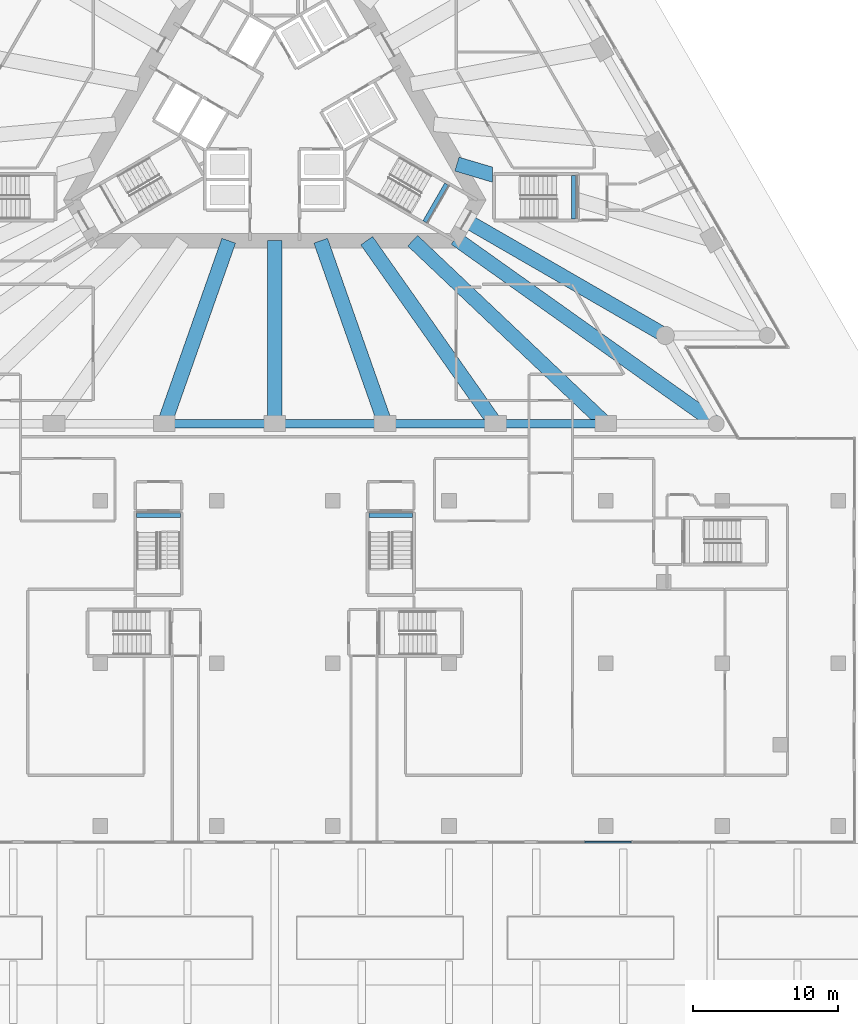
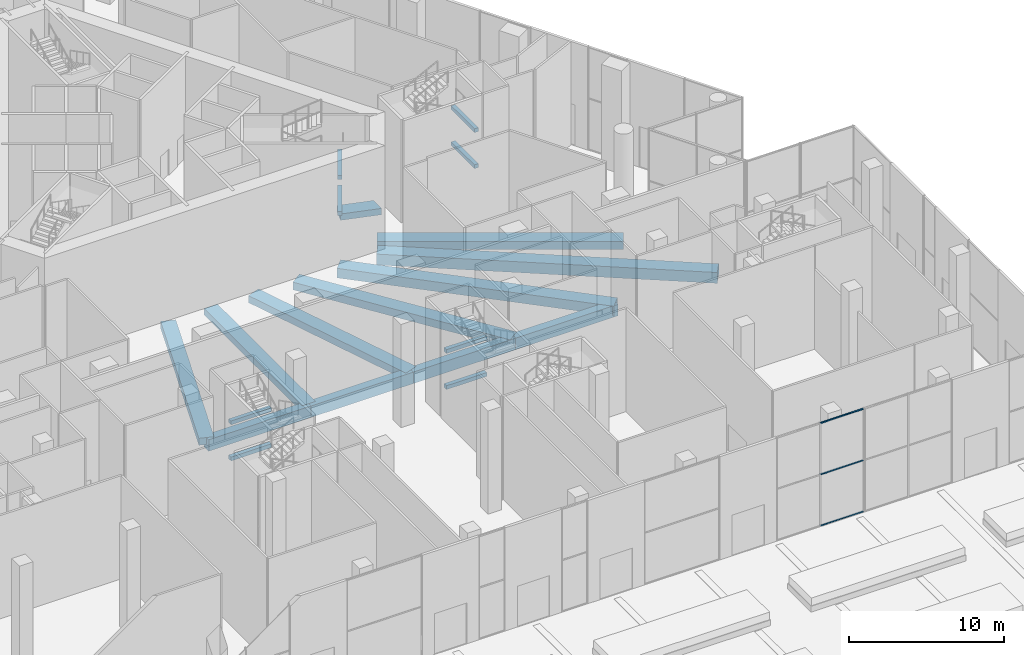
# One storey, part 7 of 41: 20 beams, 3 members, 1 element without a shape of its own.
"""IFC4 building model written with IfcOpenShell, lengths in metres."""

from ifc_helpers import new_model, si_unit, direction, frame, origin, origin_2d, place, context, subcontext, project, spatial, rectangle, extrude, clip, halfspace, material, layer, layer_set, material_profile, profile_set, type_object, element, aggregate, save


model = new_model("IFC4")

# Units and contexts
model_context = context("Model", 3, precision=1e-05, world=origin(), true_north=direction((0.0, 1.0)))
body_context = subcontext(model_context, "Body", "Model", "MODEL_VIEW")
ifc_project = project(units=[si_unit("LENGTHUNIT", "METRE"), si_unit("AREAUNIT", "SQUARE_METRE"), si_unit("VOLUMEUNIT", "CUBIC_METRE"), si_unit("PLANEANGLEUNIT", "RADIAN"), si_unit("MASSUNIT", "GRAM", prefix="KILO")], contexts=[model_context])

# Site, building, storey
site_placement = place(None, origin())
site = spatial("IfcSite", under=ifc_project, at=site_placement, CompositionType="ELEMENT")
building_placement = place(site_placement, origin())
building = spatial("IfcBuilding", under=site, at=building_placement, Name="Triada Interchange Tower", CompositionType="ELEMENT")
storey_placement = place(building_placement, origin())
storey = spatial("IfcBuildingStorey", under=building, at=storey_placement, Name="L00", CompositionType="ELEMENT", Elevation=0.0)

# Beams
ifc_material_1 = material(Name="Concrete C35/45", Category="concrete")
ifc_material_profile_1 = material_profile(ifc_material_1, rectangle(XDim=0.300048828125, YDim=0.300048828125, at=origin_2d()), Name="RC 300x300")
ifc_profile_set_1 = profile_set([ifc_material_profile_1], Name="Concrete C35/45")
beam_type_1 = type_object("IfcBeamType", Name="Landing support beam RC 300x300", PredefinedType="BEAM", material=ifc_profile_set_1)
for number, where, z_axis, x_axis, name in (
    (1, (10.3349609375, -7.698974609375, 2.4833984375), (0.50002537861, 0.866010750942, 0.0), (-0.866010750942, 0.50002537861, 0.0), "Landing support beam S00-3 1"),
    (2, (10.3349609375, -7.698974609375, 5.31689453125), (0.50002537861, 0.866010750942, 0.0), (-0.866010750942, 0.50002537861, 0.0), "Landing support beam S00-3 2"),
):
    element("IfcBeam", number, at=place(storey_placement, frame(where, z_axis=z_axis, x_axis=x_axis)), inside=storey, type_object=beam_type_1, Name=name, PredefinedType="BEAM", context=body_context, shape_type="SweptSolid", body=[
        extrude(rectangle(XDim=0.300048828125, YDim=0.300048828125, at=origin_2d()), origin(), (0.0, 0.0, 1.0), 2.999755859375),
    ])
for number, where, z_axis, x_axis, name in (
    (3, (20.60009765625, -7.5, 2.4833984375), (0.0, 1.0, 0.0), (-1.0, 0.0, 0.0), "Landing support beam S00-7 1"),
    (4, (20.60009765625, -7.5, 5.31689453125), (0.0, 1.0, 0.0), (-1.0, 0.0, 0.0), "Landing support beam S00-7 2"),
    (5, (9.5, -27.89990234375, 2.4833984375), (-1.0, 0.0, 0.0), (0.0, -1.0, 0.0), "Landing support beam S00-10 1"),
    (6, (9.5, -27.89990234375, 5.31689453125), (-1.0, 0.0, 0.0), (0.0, -1.0, 0.0), "Landing support beam S00-10 2"),
    (7, (-6.5, -27.89990234375, 2.4833984375), (-1.0, 0.0, 0.0), (0.0, -1.0, 0.0), "Landing support beam S00-11 1"),
    (8, (-6.5, -27.89990234375, 5.31689453125), (-1.0, 0.0, 0.0), (0.0, -1.0, 0.0), "Landing support beam S00-11 2"),
):
    element("IfcBeam", number, at=place(storey_placement, frame(where, z_axis=z_axis, x_axis=x_axis)), inside=storey, type_object=beam_type_1, Name=name, PredefinedType="BEAM", context=body_context, shape_type="SweptSolid", body=[
        extrude(rectangle(XDim=0.300048828125, YDim=0.300048828125, at=origin_2d()), origin(), (0.0, 0.0, 1.0), 3.0),
    ])
ifc_material_2 = material(Name="Concrete C50/60", Category="concrete")
ifc_material_profile_2 = material_profile(ifc_material_2, rectangle(XDim=1.0, YDim=0.5, at=origin_2d()), Name="RC 1000x500")
ifc_profile_set_2 = profile_set([ifc_material_profile_2], Name="Concrete C50/60")
beam_type_2 = type_object("IfcBeamType", Name="Radial band beam P RC 1000x500", PredefinedType="BEAM", material=ifc_profile_set_2)
beam_1_placement = place(storey_placement, frame((0.0, -21.60009765625, -0.64990234375), z_axis=(0.0, 1.0, 0.0), x_axis=(-1.0, 0.0, 0.0)))
element("IfcBeam", 9, at=beam_1_placement, inside=storey, type_object=beam_type_2, Name="Radial band beam BP15 L00", PredefinedType="BEAM", context=body_context, shape_type="SweptSolid", body=[
    extrude(rectangle(XDim=1.0, YDim=0.5, at=origin_2d()), origin(), (0.0, 0.0, 1.0), 12.60009765625),
])
beam_2_placement = place(storey_placement, frame((16.43798828125, -4.884033203125, -0.64990234375), z_axis=(-0.95858381739, 0.284810577468, 0.0), x_axis=(-0.284810577468, -0.95858381739, 0.0)))
element("IfcBeam", 10, at=beam_2_placement, inside=storey, type_object=beam_type_2, Name="Radial band beam BP22B L00", PredefinedType="BEAM", context=body_context, shape_type="Clipping", body=[
    clip(extrude(rectangle(XDim=1.0, YDim=0.5, at=origin_2d()), origin(), (0.0, 0.0, 1.0), 4.062255859375), halfspace(frame((3.10888671875, 0.64990234375, 0.576416015625), z_axis=(-0.284810577468, 0.0, -0.95858381739), x_axis=(0.0, 1.0, 0.0)), False)),
])
ifc_material_profile_3 = material_profile(ifc_material_2, rectangle(XDim=1.0, YDim=0.550048828125, at=origin_2d()), Name="RC 1000x550")
ifc_profile_set_3 = profile_set([ifc_material_profile_3], Name="Concrete C50/60")
beam_type_3 = type_object("IfcBeamType", Name="Radial band beam P RC 1000x550", PredefinedType="BEAM", material=ifc_profile_set_3)
for number, where, z_axis, x_axis, name in (
    (11, (-7.59912109375, -21.60009765625, -0.675048828125), (0.331888742463, 0.943318537201, 0.0), (-0.943318537201, 0.331888742463, 0.0), "Radial band beam BP14 L00"),
    (12, (7.59912109375, -21.60009765625, -0.675048828125), (-0.331888742463, 0.943318537201, 0.0), (-0.943318537201, -0.331888742463, 0.0), "Radial band beam BP16 L00"),
):
    element("IfcBeam", number, at=place(storey_placement, frame(where, z_axis=z_axis, x_axis=x_axis)), inside=storey, type_object=beam_type_3, Name=name, PredefinedType="BEAM", context=body_context, shape_type="SweptSolid", body=[
        extrude(rectangle(XDim=1.0, YDim=0.550048828125, at=origin_2d()), origin(), (0.0, 0.0, 1.0), 13.357177734375),
    ])
ifc_material_profile_4 = material_profile(ifc_material_2, rectangle(XDim=1.0, YDim=0.60009765625, at=origin_2d()), Name="RC 1000x600")
ifc_profile_set_4 = profile_set([ifc_material_profile_4], Name="Concrete C50/60")
beam_type_4 = type_object("IfcBeamType", Name="Radial band beam P RC 1000x600", PredefinedType="BEAM", material=ifc_profile_set_4)
beam_3_placement = place(storey_placement, frame((15.198974609375, -21.60009765625, -0.699951171875), z_axis=(-0.575460041142, 0.81782989738, 0.0), x_axis=(-0.81782989738, -0.575460041142, 0.0)))
element("IfcBeam", 13, at=beam_3_placement, inside=storey, type_object=beam_type_4, Name="Radial band beam BP17 L00", PredefinedType="BEAM", context=body_context, shape_type="SweptSolid", body=[
    extrude(rectangle(XDim=1.0, YDim=0.60009765625, at=origin_2d()), origin(), (0.0, 0.0, 1.0), 15.40673828125),
])
ifc_material_profile_5 = material_profile(ifc_material_2, rectangle(XDim=1.0, YDim=0.64990234375, at=origin_2d()), Name="RC 1000x650")
ifc_profile_set_5 = profile_set([ifc_material_profile_5], Name="Concrete C50/60")
beam_type_5 = type_object("IfcBeamType", Name="Radial band beam P RC 1000x650", PredefinedType="BEAM", material=ifc_profile_set_5)
beam_4_placement = place(storey_placement, frame((26.889892578125, -15.52490234375, -0.72509765625), z_axis=(-0.866020130944, 0.500009132716, 0.0), x_axis=(-0.500009132716, -0.866020130944, 0.0)))
element("IfcBeam", 14, at=beam_4_placement, inside=storey, type_object=beam_type_5, Name="Radial band beam BP20 L00", PredefinedType="BEAM", context=body_context, shape_type="SweptSolid", body=[
    extrude(rectangle(XDim=1.0, YDim=0.64990234375, at=origin_2d()), origin(), (0.0, 0.0, 1.0), 15.849365234375),
])
ifc_material_profile_6 = material_profile(ifc_material_2, rectangle(XDim=1.0, YDim=0.75, at=origin_2d()), Name="RC 1000x750")
ifc_profile_set_6 = profile_set([ifc_material_profile_6], Name="Concrete C50/60")
beam_type_6 = type_object("IfcBeamType", Name="Radial band beam P RC 1000x750", PredefinedType="BEAM", material=ifc_profile_set_6)
beam_5_placement = place(storey_placement, frame((22.798095703125, -21.60009765625, -0.77490234375), z_axis=(-0.725926069578, 0.687772739723, 0.0), x_axis=(-0.687772739723, -0.725926069578, 0.0)))
element("IfcBeam", 15, at=beam_5_placement, inside=storey, type_object=beam_type_6, Name="Radial band beam BP18 L00", PredefinedType="BEAM", context=body_context, shape_type="SweptSolid", body=[
    extrude(rectangle(XDim=1.0, YDim=0.75, at=origin_2d()), origin(), (0.0, 0.0, 1.0), 18.320068359375),
])
ifc_material_profile_7 = material_profile(ifc_material_2, rectangle(XDim=1.0, YDim=0.85009765625, at=origin_2d()), Name="RC 1000x850")
ifc_profile_set_7 = profile_set([ifc_material_profile_7], Name="Concrete C50/60")
beam_type_7 = type_object("IfcBeamType", Name="Radial band beam P RC 1000x850", PredefinedType="BEAM", material=ifc_profile_set_7)
beam_6_placement = place(storey_placement, frame((30.39697265625, -21.60009765625, -0.824951171875), z_axis=(-0.815163189691, 0.579231364977, 0.0), x_axis=(-0.579231364977, -0.815163189691, 0.0)))
element("IfcBeam", 16, at=beam_6_placement, inside=storey, type_object=beam_type_7, Name="Radial band beam BP19 L00", PredefinedType="BEAM", context=body_context, shape_type="SweptSolid", body=[
    extrude(rectangle(XDim=1.0, YDim=0.85009765625, at=origin_2d()), origin(), (0.0, 0.0, 1.0), 22.0224609375),
])
ifc_material_profile_8 = material_profile(ifc_material_2, rectangle(XDim=0.60009765625, YDim=0.89990234375, at=origin_2d()), Name="RC 600x900")
ifc_profile_set_8 = profile_set([ifc_material_profile_8], Name="Concrete C50/60")
beam_type_8 = type_object("IfcBeamType", Name="Spandrel beam P RC 600x900", PredefinedType="BEAM", material=ifc_profile_set_8)
for number, where, z_axis, x_axis, name in (
    (17, (-7.59912109375, -21.60009765625, -0.85009765625), (1.0, 0.0, 0.0), (0.0, 1.0, 0.0), "Spandrel beam EP14 L00"),
    (18, (0.0, -21.60009765625, -0.85009765625), (1.0, 0.0, 0.0), (0.0, 1.0, 0.0), "Spandrel beam EP15 L00"),
):
    element("IfcBeam", number, at=place(storey_placement, frame(where, z_axis=z_axis, x_axis=x_axis)), inside=storey, type_object=beam_type_8, Name=name, PredefinedType="BEAM", context=body_context, shape_type="SweptSolid", body=[
        extrude(rectangle(XDim=0.60009765625, YDim=0.89990234375, at=origin_2d()), origin(), (0.0, 0.0, 1.0), 7.59912109375),
    ])
beam_7_placement = place(storey_placement, frame((7.59912109375, -21.60009765625, -0.85009765625), z_axis=(1.0, 0.0, 0.0), x_axis=(0.0, 1.0, 0.0)))
element("IfcBeam", 19, at=beam_7_placement, inside=storey, type_object=beam_type_8, Name="Spandrel beam EP16 L00", PredefinedType="BEAM", context=body_context, shape_type="SweptSolid", body=[
    extrude(rectangle(XDim=0.60009765625, YDim=0.89990234375, at=origin_2d()), origin(), (0.0, 0.0, 1.0), 7.599853515625),
])
beam_8_placement = place(storey_placement, frame((15.198974609375, -21.60009765625, -0.85009765625), z_axis=(1.0, 0.0, 0.0), x_axis=(0.0, 1.0, 0.0)))
element("IfcBeam", 20, at=beam_8_placement, inside=storey, type_object=beam_type_8, Name="Spandrel beam EP17 L00", PredefinedType="BEAM", context=body_context, shape_type="SweptSolid", body=[
    extrude(rectangle(XDim=0.60009765625, YDim=0.89990234375, at=origin_2d()), origin(), (0.0, 0.0, 1.0), 7.59912109375),
])

# Curtain wall, members
ifc_material_3 = material(Name="Aluminium framed glazing", Category="aluminium")
ifc_layer = layer(ifc_material_3, 0.199951171875)
ifc_layer_set = layer_set([ifc_layer], Name="Curtain wall Retail shopfront")
curtain_wall_type = type_object("IfcCurtainWallType", Name="Curtain wall Retail shopfront", PredefinedType="NOTDEFINED", material=ifc_layer_set)
curtain_wall_placement = place(storey_placement, origin())
curtain_wall = element("IfcCurtainWall", 21, at=curtain_wall_placement, inside=storey, type_object=curtain_wall_type, Name="Retail shopfront CW008 L00", PredefinedType="NOTDEFINED")
ifc_material_4 = material(Name="Aluminium", Category="aluminium")
ifc_material_profile_9 = material_profile(ifc_material_4, rectangle(XDim=0.1201171875, YDim=0.050048828125, at=origin_2d()), Name="Aluminium transom")
ifc_profile_set_9 = profile_set([ifc_material_profile_9], Name="Aluminium")
member_type = type_object("IfcMemberType", Name="Transom Retail shopfront 120x50", PredefinedType="USERDEFINED", material=ifc_profile_set_9)
member_1_placement = place(storey_placement, frame((21.347412109375, -50.39990234375, 0.02490234375), z_axis=(1.0, 0.0, 0.0), x_axis=(0.0, 1.0, 0.0)))
member_1 = element("IfcMember", 22, at=member_1_placement, type_object=member_type, Name="CW008 transom 2.1", ObjectType="TRANSOM", PredefinedType="USERDEFINED", context=body_context, shape_type="SweptSolid", body=[
    extrude(rectangle(XDim=0.1201171875, YDim=0.050048828125, at=origin_2d()), origin(), (0.0, 0.0, 1.0), 3.1875),
])
member_2_placement = place(storey_placement, frame((21.347412109375, -50.39990234375, 4.050048828125), z_axis=(1.0, 0.0, 0.0), x_axis=(0.0, 1.0, 0.0)))
member_2 = element("IfcMember", 23, at=member_2_placement, type_object=member_type, Name="CW008 transom 2.2", ObjectType="TRANSOM", PredefinedType="USERDEFINED", context=body_context, shape_type="SweptSolid", body=[
    extrude(rectangle(XDim=0.1201171875, YDim=0.050048828125, at=origin_2d()), origin(), (0.0, 0.0, 1.0), 3.1875),
])
member_3_placement = place(storey_placement, frame((21.347412109375, -50.39990234375, 8.074951171875), z_axis=(1.0, 0.0, 0.0), x_axis=(0.0, 1.0, 0.0)))
member_3 = element("IfcMember", 24, at=member_3_placement, type_object=member_type, Name="CW008 transom 2.3", ObjectType="TRANSOM", PredefinedType="USERDEFINED", context=body_context, shape_type="SweptSolid", body=[
    extrude(rectangle(XDim=0.1201171875, YDim=0.050048828125, at=origin_2d()), origin(), (0.0, 0.0, 1.0), 3.1875),
])
aggregate(curtain_wall, [member_1, member_2, member_3])

save(model, "model.ifc")
